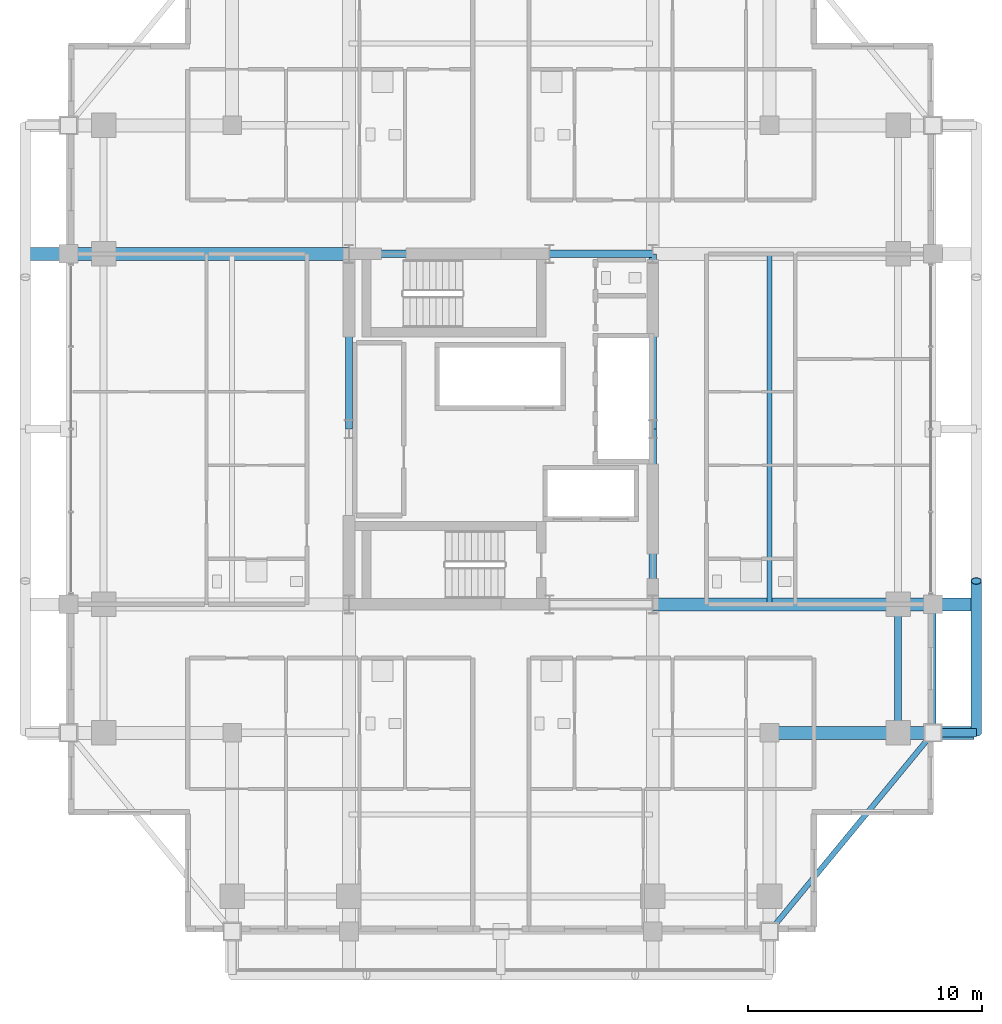
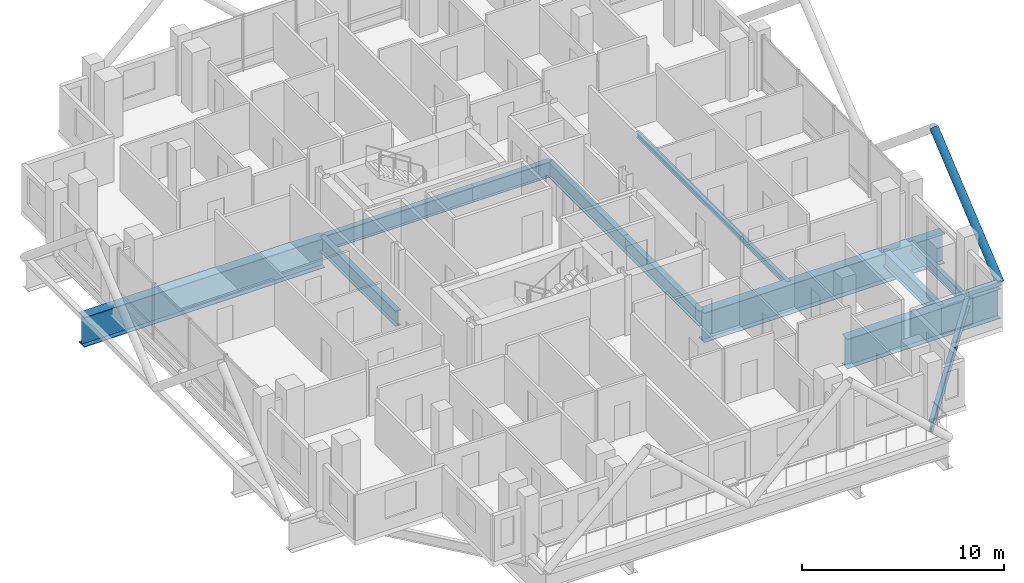
# One storey, part 5 of 23: 12 beams, 2 members.
"""IFC4 building model written with IfcOpenShell, lengths in metres."""

from ifc_helpers import new_model, si_unit, direction, frame, origin, origin_2d, place, context, subcontext, project, spatial, hollow_circle, i_section, extrude, material, material_profile, profile_set, type_object, element, save


model = new_model("IFC4")

# Units and contexts
model_context = context("Model", 3, precision=1e-05, world=origin(), true_north=direction((0.0, 1.0)))
body_context = subcontext(model_context, "Body", "Model", "MODEL_VIEW")
ifc_project = project(units=[si_unit("LENGTHUNIT", "METRE"), si_unit("AREAUNIT", "SQUARE_METRE"), si_unit("VOLUMEUNIT", "CUBIC_METRE"), si_unit("PLANEANGLEUNIT", "RADIAN"), si_unit("MASSUNIT", "GRAM", prefix="KILO")], contexts=[model_context])

# Site, building, storey
site_placement = place(None, origin())
site = spatial("IfcSite", under=ifc_project, at=site_placement, CompositionType="ELEMENT")
building_placement = place(site_placement, origin())
building = spatial("IfcBuilding", under=site, at=building_placement, Name="Barlavira Tower and Art Museum", CompositionType="ELEMENT")
storey_placement = place(building_placement, frame((0.0, 0.0, 165.60009765625)))
storey = spatial("IfcBuildingStorey", under=building, at=storey_placement, Name="L42", CompositionType="ELEMENT", Elevation=165.60009765625)

# Members
ifc_material = material(Name="Steel S355", Category="steel")
ifc_material_profile_1 = material_profile(ifc_material, hollow_circle(Radius=0.228515625, WallThickness=0.02001953125, at=origin_2d()), Name="CHS 457.0x20.0")
ifc_profile_set_1 = profile_set([ifc_material_profile_1], Name="Steel S355")
member_type_1 = type_object("IfcMemberType", Name="Pale-Metal Exoskeleton Diagrid Tube CHS 457x20 Steel S355", PredefinedType="BRACE", material=ifc_profile_set_1)
member_1_placement = place(storey_placement, frame((20.35009765625, -13.0, -0.1201171875), z_axis=(0.0, 0.769196053329, 0.639012857104), x_axis=(-1.0, 0.0, 0.0)))
element("IfcMember", 1, at=member_1_placement, inside=storey, type_object=member_type_1, Name="L42 Exoskeleton Diagrid Tube E", PredefinedType="BRACE", context=body_context, shape_type="SweptSolid", body=[
    extrude(hollow_circle(Radius=0.228515625, WallThickness=0.02001953125, at=origin_2d()), origin(), (0.0, 0.0, 1.0), 8.450439453125),
])
ifc_material_profile_2 = material_profile(ifc_material, hollow_circle(Radius=0.177734375, WallThickness=0.01611328125, at=origin_2d()), Name="CHS 355.6x16.0")
ifc_profile_set_2 = profile_set([ifc_material_profile_2], Name="Steel S355")
member_type_2 = type_object("IfcMemberType", Name="Pale-Metal Exoskeleton Tie Strut CHS 356x16 Steel S355", PredefinedType="STRUT", material=ifc_profile_set_2)
member_2_placement = place(storey_placement, frame((20.35009765625, -13.0, -0.1201171875), z_axis=(-1.0, 0.0, 0.0), x_axis=(0.0, -1.0, 0.0)))
element("IfcMember", 2, at=member_2_placement, inside=storey, type_object=member_type_2, Name="L42 Exoskeleton Tie Strut E1", PredefinedType="STRUT", context=body_context, shape_type="SweptSolid", body=[
    extrude(hollow_circle(Radius=0.177734375, WallThickness=0.01611328125, at=origin_2d()), origin(), (0.0, 0.0, 1.0), 1.85009765625),
])

# Beams
ifc_material_profile_3 = material_profile(ifc_material, i_section(OverallWidth=0.30908203125, OverallDepth=0.931884765625, WebThickness=0.01953125, FlangeThickness=0.034423828125, at=origin_2d()), Name="W920x313.0")
ifc_profile_set_3 = profile_set([ifc_material_profile_3], Name="Steel S355")
beam_type_1 = type_object("IfcBeamType", Name="Setback Ring Girder W920x313 Steel S355", PredefinedType="BEAM", material=ifc_profile_set_3)
beam_1_placement = place(storey_placement, frame((-6.5, 7.5, -0.76611328125), z_axis=(1.0, 0.0, 0.0), x_axis=(0.0, 1.0, 0.0)))
element("IfcBeam", 3, at=beam_1_placement, inside=storey, type_object=beam_type_1, Name="L42 Girder C-N1", PredefinedType="BEAM", context=body_context, shape_type="SweptSolid", body=[
    extrude(i_section(OverallWidth=0.30908203125, OverallDepth=0.931884765625, WebThickness=0.01953125, FlangeThickness=0.034423828125, at=origin_2d()), origin(), (0.0, 0.0, 1.0), 8.580078125),
])
beam_2_placement = place(storey_placement, frame((2.080078125, 7.5, -0.76611328125), z_axis=(1.0, 0.0, 0.0), x_axis=(0.0, 1.0, 0.0)))
element("IfcBeam", 4, at=beam_2_placement, inside=storey, type_object=beam_type_1, Name="L42 Girder C-N2", PredefinedType="BEAM", context=body_context, shape_type="SweptSolid", body=[
    extrude(i_section(OverallWidth=0.30908203125, OverallDepth=0.931884765625, WebThickness=0.01953125, FlangeThickness=0.034423828125, at=origin_2d()), origin(), (0.0, 0.0, 1.0), 4.419921875),
])
for number, where, z_axis, x_axis, name in (
    (5, (-6.5, 0.0, -0.76611328125), (0.0, 1.0, 0.0), (-1.0, 0.0, 0.0), "L42 Girder C-W2"),
    (6, (6.5, -7.5, -0.76611328125), (0.0, 1.0, 0.0), (-1.0, 0.0, 0.0), "L42 Girder C-E1"),
    (7, (6.5, 0.0, -0.76611328125), (0.0, 1.0, 0.0), (-1.0, 0.0, 0.0), "L42 Girder C-E2"),
):
    element("IfcBeam", number, at=place(storey_placement, frame(where, z_axis=z_axis, x_axis=x_axis)), inside=storey, type_object=beam_type_1, Name=name, PredefinedType="BEAM", context=body_context, shape_type="SweptSolid", body=[
        extrude(i_section(OverallWidth=0.30908203125, OverallDepth=0.931884765625, WebThickness=0.01953125, FlangeThickness=0.034423828125, at=origin_2d()), origin(), (0.0, 0.0, 1.0), 7.5),
    ])
beam_3_placement = place(storey_placement, frame((17.0, -13.0, -0.76611328125), z_axis=(0.0, 1.0, 0.0), x_axis=(-1.0, 0.0, 0.0)))
element("IfcBeam", 8, at=beam_3_placement, inside=storey, type_object=beam_type_1, Name="L42 Girder M-E1", PredefinedType="BEAM", context=body_context, shape_type="SweptSolid", body=[
    extrude(i_section(OverallWidth=0.30908203125, OverallDepth=0.931884765625, WebThickness=0.01953125, FlangeThickness=0.034423828125, at=origin_2d()), origin(), (0.0, 0.0, 1.0), 5.5),
])
ifc_material_profile_4 = material_profile(ifc_material, i_section(OverallWidth=0.22998046875, OverallDepth=0.616943359375, WebThickness=0.01318359375, FlangeThickness=0.022216796875, at=origin_2d()), Name="W610x140.0")
ifc_profile_set_4 = profile_set([ifc_material_profile_4], Name="Steel S355")
beam_type_2 = type_object("IfcBeamType", Name="Upper Shaft Spandrel Edge Beam W610x140 Steel S355", PredefinedType="SPANDREL", material=ifc_profile_set_4)
beam_4_placement = place(storey_placement, frame((11.5, -21.5, -0.608642578125), z_axis=(0.635707252861, 0.771930235617, 0.0), x_axis=(-0.771930235617, 0.635707252861, 0.0)))
element("IfcBeam", 9, at=beam_4_placement, inside=storey, type_object=beam_type_2, Name="L42 Spandrel 4", PredefinedType="SPANDREL", context=body_context, shape_type="SweptSolid", body=[
    extrude(i_section(OverallWidth=0.22998046875, OverallDepth=0.616943359375, WebThickness=0.01318359375, FlangeThickness=0.022216796875, at=origin_2d()), origin(), (0.0, 0.0, 1.0), 11.011474609375),
])
beam_5_placement = place(storey_placement, frame((18.5, -13.0, -0.608642578125), z_axis=(0.0, 1.0, 0.0), x_axis=(-1.0, 0.0, 0.0)))
element("IfcBeam", 10, at=beam_5_placement, inside=storey, type_object=beam_type_2, Name="L42 Spandrel 5", PredefinedType="SPANDREL", context=body_context, shape_type="SweptSolid", body=[
    extrude(i_section(OverallWidth=0.22998046875, OverallDepth=0.616943359375, WebThickness=0.01318359375, FlangeThickness=0.022216796875, at=origin_2d()), origin(), (0.0, 0.0, 1.0), 5.5),
])
ifc_material_profile_5 = material_profile(ifc_material, i_section(OverallWidth=0.205078125, OverallDepth=0.35400390625, WebThickness=0.009521484375, FlangeThickness=0.016845703125, at=origin_2d()), Name="W360x79.0")
ifc_profile_set_5 = profile_set([ifc_material_profile_5], Name="Steel S355")
beam_type_3 = type_object("IfcBeamType", Name="Zone 3 Composite Floor Joist W360x79 Steel S355", PredefinedType="JOIST", material=ifc_profile_set_5)
beam_6_placement = place(storey_placement, frame((11.5, -7.5, -0.47705078125), z_axis=(0.0, 1.0, 0.0), x_axis=(-1.0, 0.0, 0.0)))
element("IfcBeam", 11, at=beam_6_placement, inside=storey, type_object=beam_type_3, Name="L42 Joist W2", PredefinedType="JOIST", context=body_context, shape_type="SweptSolid", body=[
    extrude(i_section(OverallWidth=0.205078125, OverallDepth=0.35400390625, WebThickness=0.009521484375, FlangeThickness=0.016845703125, at=origin_2d()), origin(), (0.0, 0.0, 1.0), 15.0),
])
ifc_material_profile_6 = material_profile(ifc_material, i_section(OverallWidth=0.550048828125, OverallDepth=1.800048828125, WebThickness=0.02587890625, FlangeThickness=0.033935546875, at=origin_2d()), Name="CVS1800x520")
ifc_profile_set_6 = profile_set([ifc_material_profile_6], Name="Steel S355")
beam_type_4 = type_object("IfcBeamType", Name="Zone Setback Transfer Girder CVS1800x520 Steel S355", PredefinedType="USERDEFINED", material=ifc_profile_set_6)
beam_7_placement = place(storey_placement, frame((-20.25, 7.5, -1.2001953125), z_axis=(1.0, 0.0, 0.0), x_axis=(0.0, 1.0, 0.0)))
element("IfcBeam", 12, at=beam_7_placement, inside=storey, type_object=beam_type_4, Name="L42 Setback Transfer Girder TGL42-08B", ObjectType="TRANSFER GIRDER", PredefinedType="USERDEFINED", context=body_context, shape_type="SweptSolid", body=[
    extrude(i_section(OverallWidth=0.550048828125, OverallDepth=1.800048828125, WebThickness=0.02587890625, FlangeThickness=0.033935546875, at=origin_2d()), origin(), (0.0, 0.0, 1.0), 13.75),
])
beam_8_placement = place(storey_placement, frame((11.5, -13.0, -1.2001953125), z_axis=(1.0, 0.0, 0.0), x_axis=(0.0, 1.0, 0.0)))
element("IfcBeam", 13, at=beam_8_placement, inside=storey, type_object=beam_type_4, Name="L42 Setback Transfer Girder TGL42-10", ObjectType="TRANSFER GIRDER", PredefinedType="USERDEFINED", context=body_context, shape_type="SweptSolid", body=[
    extrude(i_section(OverallWidth=0.550048828125, OverallDepth=1.800048828125, WebThickness=0.02587890625, FlangeThickness=0.033935546875, at=origin_2d()), origin(), (0.0, 0.0, 1.0), 8.75),
])
beam_9_placement = place(storey_placement, frame((6.5, -7.5, -1.2001953125), z_axis=(1.0, 0.0, 0.0), x_axis=(0.0, 1.0, 0.0)))
element("IfcBeam", 14, at=beam_9_placement, inside=storey, type_object=beam_type_4, Name="L42 Setback Transfer Girder TGL42-11A", ObjectType="TRANSFER GIRDER", PredefinedType="USERDEFINED", context=body_context, shape_type="SweptSolid", body=[
    extrude(i_section(OverallWidth=0.550048828125, OverallDepth=1.800048828125, WebThickness=0.02587890625, FlangeThickness=0.033935546875, at=origin_2d()), origin(), (0.0, 0.0, 1.0), 13.75),
])

save(model, "model.ifc")
